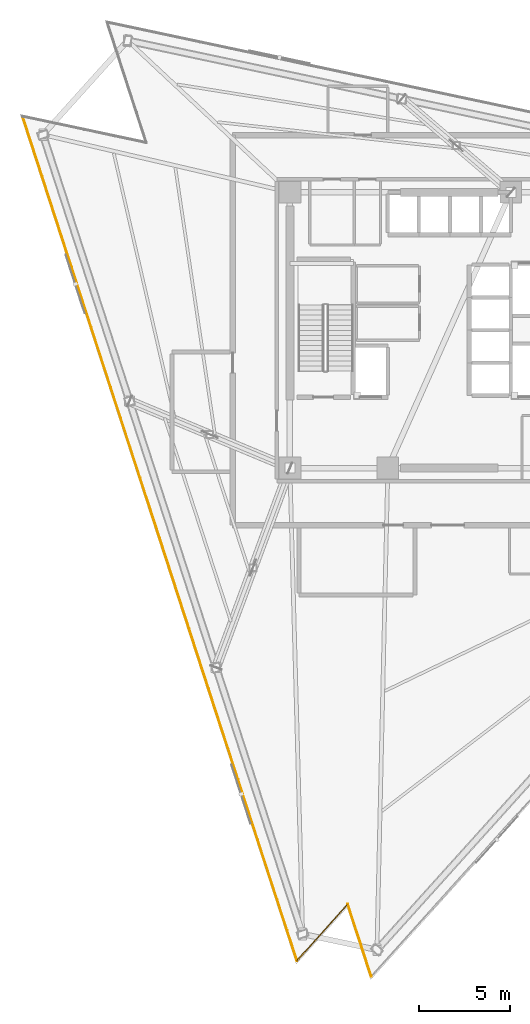
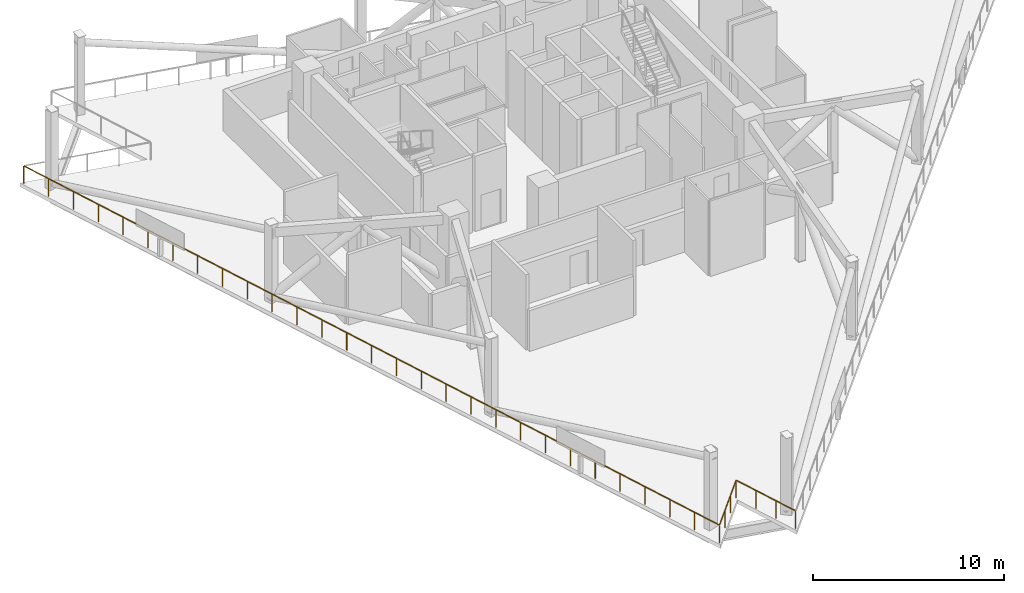
# One storey, part 10 of 15: 3 railings.
"""IFC4 building model written with IfcOpenShell, lengths in metres."""

from ifc_helpers import new_model, si_unit, direction, frame, origin, origin_2d, place, context, subcontext, project, spatial, rectangle, extrude, material, type_object, element, save


model = new_model("IFC4")

# Units and contexts
model_context = context("Model", 3, precision=1e-05, world=origin(), true_north=direction((0.0, 1.0)))
body_context = subcontext(model_context, "Body", "Model", "MODEL_VIEW")
ifc_project = project(units=[si_unit("LENGTHUNIT", "METRE"), si_unit("AREAUNIT", "SQUARE_METRE"), si_unit("VOLUMEUNIT", "CUBIC_METRE"), si_unit("PLANEANGLEUNIT", "RADIAN"), si_unit("MASSUNIT", "GRAM", prefix="KILO")], contexts=[model_context])

# Site, building, storey
site_placement = place(None, origin())
site = spatial("IfcSite", under=ifc_project, at=site_placement, CompositionType="ELEMENT")
building_placement = place(site_placement, origin())
building = spatial("IfcBuilding", under=site, at=building_placement, Name="Tharavind Bronze Gate", CompositionType="ELEMENT")
storey_placement = place(building_placement, frame((0.0, 0.0, 222.050048828125)))
storey = spatial("IfcBuildingStorey", under=building, at=storey_placement, Name="L57", CompositionType="ELEMENT", Elevation=222.050048828125)

# Railings
ifc_material = material(Name="Bronze Cap & Laminated Glass", Category="glass")
railing_type = type_object("IfcRailingType", Name="TERRACE GLASS GUARD RAILING 1150", PredefinedType="GUARDRAIL", material=ifc_material)
railing_1_placement = place(storey_placement, frame((-23.630126953125, 11.780517578125, 0.0)))
element("IfcRailing", 1, at=railing_1_placement, inside=storey, type_object=railing_type, Name="L57 open wind floor perimeter guard railing 3", PredefinedType="GUARDRAIL", context=body_context, shape_type="SweptSolid", body=[
    extrude(rectangle(XDim=0.048095703125, YDim=0.048095703125, at=origin_2d()), frame((0.010009765625, -0.030517578125, 1.1259765625), z_axis=(0.309013307044, -0.951057714374, 0.0), x_axis=(0.951057714374, 0.309013307044, 0.0)), (0.0, 0.0, 1.0), 48.870361328125),
    extrude(rectangle(XDim=0.0400390625, YDim=0.0400390625, at=origin_2d()), origin(), (0.0, 0.0, 1.0), 1.097900390625),
    extrude(rectangle(XDim=0.0400390625, YDim=0.0400390625, at=origin_2d()), frame((0.5400390625, -1.662109375, 0.0)), (0.0, 0.0, 1.0), 1.097900390625),
    extrude(rectangle(XDim=0.0400390625, YDim=0.0400390625, at=origin_2d()), frame((1.080078125, -3.32421875, 0.0)), (0.0, 0.0, 1.0), 1.097900390625),
    extrude(rectangle(XDim=0.0400390625, YDim=0.0400390625, at=origin_2d()), frame((1.6201171875, -4.986328125, 0.0)), (0.0, 0.0, 1.0), 1.097900390625),
    extrude(rectangle(XDim=0.0400390625, YDim=0.0400390625, at=origin_2d()), frame((2.16015625, -6.6484375, 0.0)), (0.0, 0.0, 1.0), 1.097900390625),
    extrude(rectangle(XDim=0.0400390625, YDim=0.0400390625, at=origin_2d()), frame((2.7001953125, -8.310546875, 0.0)), (0.0, 0.0, 1.0), 1.097900390625),
    extrude(rectangle(XDim=0.0400390625, YDim=0.0400390625, at=origin_2d()), frame((3.240234375, -9.97265625, 0.0)), (0.0, 0.0, 1.0), 1.097900390625),
    extrude(rectangle(XDim=0.0400390625, YDim=0.0400390625, at=origin_2d()), frame((3.7802734375, -11.634765625, 0.0)), (0.0, 0.0, 1.0), 1.097900390625),
    extrude(rectangle(XDim=0.0400390625, YDim=0.0400390625, at=origin_2d()), frame((4.3203125, -13.296875, 0.0)), (0.0, 0.0, 1.0), 1.097900390625),
    extrude(rectangle(XDim=0.0400390625, YDim=0.0400390625, at=origin_2d()), frame((4.8603515625, -14.958984375, 0.0)), (0.0, 0.0, 1.0), 1.097900390625),
    extrude(rectangle(XDim=0.0400390625, YDim=0.0400390625, at=origin_2d()), frame((5.400390625, -16.62109375, 0.0)), (0.0, 0.0, 1.0), 1.097900390625),
    extrude(rectangle(XDim=0.0400390625, YDim=0.0400390625, at=origin_2d()), frame((5.9404296875, -18.283203125, 0.0)), (0.0, 0.0, 1.0), 1.097900390625),
    extrude(rectangle(XDim=0.0400390625, YDim=0.0400390625, at=origin_2d()), frame((6.48046875, -19.9453125, 0.0)), (0.0, 0.0, 1.0), 1.097900390625),
    extrude(rectangle(XDim=0.0400390625, YDim=0.0400390625, at=origin_2d()), frame((7.0205078125, -21.607421875, 0.0)), (0.0, 0.0, 1.0), 1.097900390625),
    extrude(rectangle(XDim=0.0400390625, YDim=0.0400390625, at=origin_2d()), frame((7.560546875, -23.26953125, 0.0)), (0.0, 0.0, 1.0), 1.097900390625),
    extrude(rectangle(XDim=0.0400390625, YDim=0.0400390625, at=origin_2d()), frame((8.100830078125, -24.931884765625, 0.0)), (0.0, 0.0, 1.0), 1.097900390625),
    extrude(rectangle(XDim=0.0400390625, YDim=0.0400390625, at=origin_2d()), frame((8.640869140625, -26.593994140625, 0.0)), (0.0, 0.0, 1.0), 1.097900390625),
    extrude(rectangle(XDim=0.0400390625, YDim=0.0400390625, at=origin_2d()), frame((9.180908203125, -28.256103515625, 0.0)), (0.0, 0.0, 1.0), 1.097900390625),
    extrude(rectangle(XDim=0.0400390625, YDim=0.0400390625, at=origin_2d()), frame((9.720947265625, -29.918212890625, 0.0)), (0.0, 0.0, 1.0), 1.097900390625),
    extrude(rectangle(XDim=0.0400390625, YDim=0.0400390625, at=origin_2d()), frame((10.260986328125, -31.580322265625, 0.0)), (0.0, 0.0, 1.0), 1.097900390625),
    extrude(rectangle(XDim=0.0400390625, YDim=0.0400390625, at=origin_2d()), frame((10.801025390625, -33.242431640625, 0.0)), (0.0, 0.0, 1.0), 1.097900390625),
    extrude(rectangle(XDim=0.0400390625, YDim=0.0400390625, at=origin_2d()), frame((11.341064453125, -34.904541015625, 0.0)), (0.0, 0.0, 1.0), 1.097900390625),
    extrude(rectangle(XDim=0.0400390625, YDim=0.0400390625, at=origin_2d()), frame((11.881103515625, -36.566650390625, 0.0)), (0.0, 0.0, 1.0), 1.097900390625),
    extrude(rectangle(XDim=0.0400390625, YDim=0.0400390625, at=origin_2d()), frame((12.421142578125, -38.228759765625, 0.0)), (0.0, 0.0, 1.0), 1.097900390625),
    extrude(rectangle(XDim=0.0400390625, YDim=0.0400390625, at=origin_2d()), frame((12.961181640625, -39.890869140625, 0.0)), (0.0, 0.0, 1.0), 1.097900390625),
    extrude(rectangle(XDim=0.0400390625, YDim=0.0400390625, at=origin_2d()), frame((13.501220703125, -41.552978515625, 0.0)), (0.0, 0.0, 1.0), 1.097900390625),
    extrude(rectangle(XDim=0.0400390625, YDim=0.0400390625, at=origin_2d()), frame((14.041259765625, -43.215087890625, 0.0)), (0.0, 0.0, 1.0), 1.097900390625),
    extrude(rectangle(XDim=0.0400390625, YDim=0.0400390625, at=origin_2d()), frame((14.581298828125, -44.877197265625, 0.0)), (0.0, 0.0, 1.0), 1.097900390625),
    extrude(rectangle(XDim=0.0400390625, YDim=0.0400390625, at=origin_2d()), frame((15.121337890625, -46.539306640625, 0.0)), (0.0, 0.0, 1.0), 1.097900390625),
])
railing_2_placement = place(storey_placement, frame((-8.5087890625, -34.7587890625, 0.0)))
element("IfcRailing", 2, at=railing_2_placement, inside=storey, type_object=railing_type, Name="L57 open wind floor perimeter guard railing 4", PredefinedType="GUARDRAIL", context=body_context, shape_type="SweptSolid", body=[
    extrude(rectangle(XDim=0.048095703125, YDim=0.048095703125, at=origin_2d()), frame((0.021484375, 0.023681640625, 1.1259765625), z_axis=(0.669151507466, 0.743126005504, 0.0), x_axis=(-0.743126005504, 0.669151507466, 0.0)), (0.0, 0.0, 1.0), 4.1240234375),
    extrude(rectangle(XDim=0.0400390625, YDim=0.0400390625, at=origin_2d()), origin(), (0.0, 0.0, 1.0), 1.097900390625),
    extrude(rectangle(XDim=0.0400390625, YDim=0.0400390625, at=origin_2d()), frame((0.93408203125, 1.037353515625, 0.0)), (0.0, 0.0, 1.0), 1.097900390625),
    extrude(rectangle(XDim=0.0400390625, YDim=0.0400390625, at=origin_2d()), frame((1.868408203125, 2.074951171875, 0.0)), (0.0, 0.0, 1.0), 1.097900390625),
    extrude(rectangle(XDim=0.0400390625, YDim=0.0400390625, at=origin_2d()), frame((2.802490234375, 3.1123046875, 0.0)), (0.0, 0.0, 1.0), 1.097900390625),
])
railing_3_placement = place(storey_placement, frame((-5.706298828125, -31.646484375, 0.0)))
element("IfcRailing", 3, at=railing_3_placement, inside=storey, type_object=railing_type, Name="L57 open wind floor perimeter guard railing 5", PredefinedType="GUARDRAIL", context=body_context, shape_type="SweptSolid", body=[
    extrude(rectangle(XDim=0.048095703125, YDim=0.048095703125, at=origin_2d()), frame((0.010009765625, -0.030517578125, 1.1259765625), z_axis=(0.309030708092, -0.951052060329, 0.0), x_axis=(0.951052060329, 0.309030708092, 0.0)), (0.0, 0.0, 1.0), 4.123779296875),
    extrude(rectangle(XDim=0.0400390625, YDim=0.0400390625, at=origin_2d()), origin(), (0.0, 0.0, 1.0), 1.097900390625),
    extrude(rectangle(XDim=0.0400390625, YDim=0.0400390625, at=origin_2d()), frame((0.431396484375, -1.32763671875, 0.0)), (0.0, 0.0, 1.0), 1.097900390625),
    extrude(rectangle(XDim=0.0400390625, YDim=0.0400390625, at=origin_2d()), frame((0.86279296875, -2.6552734375, 0.0)), (0.0, 0.0, 1.0), 1.097900390625),
    extrude(rectangle(XDim=0.0400390625, YDim=0.0400390625, at=origin_2d()), frame((1.294189453125, -3.98291015625, 0.0)), (0.0, 0.0, 1.0), 1.097900390625),
])

save(model, "model.ifc")
